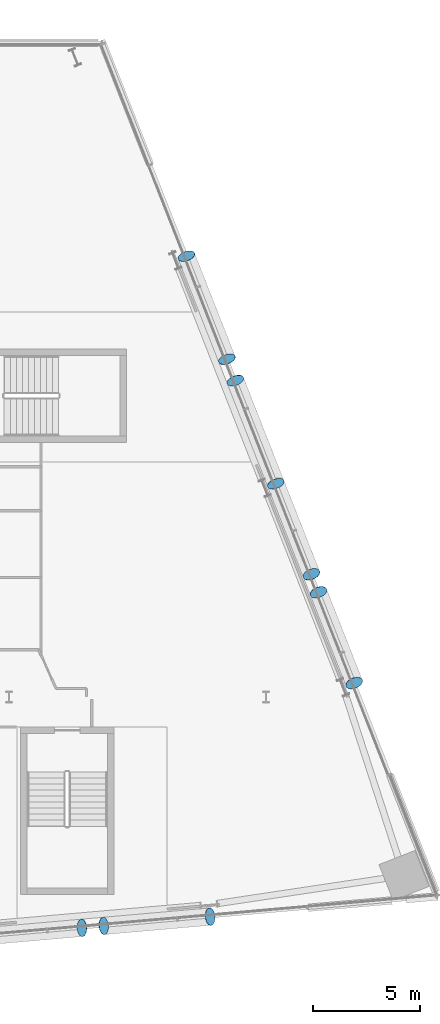
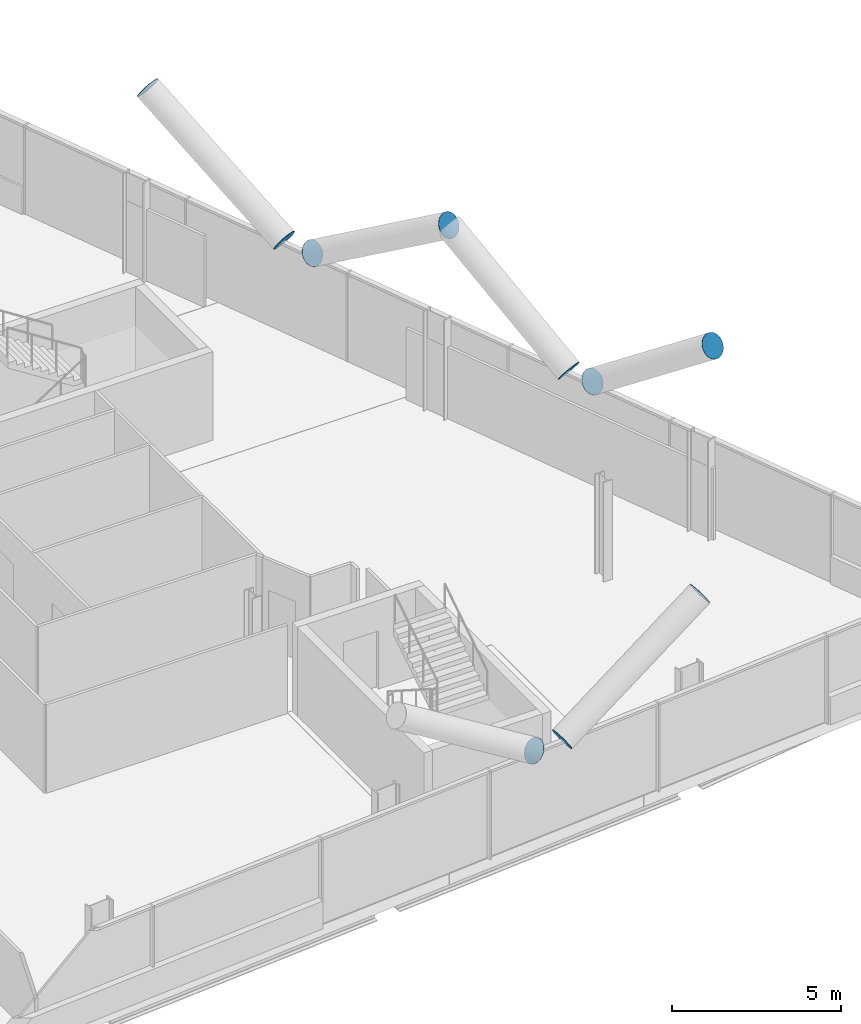
# One storey, part 22 of 26: 10 discrete accessories.
"""IFC4 building model written with IfcOpenShell, lengths in metres."""

from ifc_helpers import new_model, si_unit, direction, frame, origin, origin_2d, place, context, subcontext, project, spatial, circle, extrude, material, material_profile, profile_set, type_object, element, save


model = new_model("IFC4")

# Units and contexts
model_context = context("Model", 3, precision=1e-05, world=origin(), true_north=direction((0.0, 1.0)))
body_context = subcontext(model_context, "Body", "Model", "MODEL_VIEW")
ifc_project = project(units=[si_unit("LENGTHUNIT", "METRE"), si_unit("AREAUNIT", "SQUARE_METRE"), si_unit("VOLUMEUNIT", "CUBIC_METRE"), si_unit("PLANEANGLEUNIT", "RADIAN"), si_unit("MASSUNIT", "GRAM", prefix="KILO")], contexts=[model_context])

# Site, building, storey
site_placement = place(None, origin())
site = spatial("IfcSite", under=ifc_project, at=site_placement, CompositionType="ELEMENT")
building_placement = place(site_placement, origin())
building = spatial("IfcBuilding", under=site, at=building_placement, Name="Wharfspan Tower", CompositionType="ELEMENT")
storey_placement = place(building_placement, frame((0.0, 0.0, 125.5)))
storey = spatial("IfcBuildingStorey", under=building, at=storey_placement, Name="L29", CompositionType="ELEMENT", Elevation=125.5)

# Discrete accessories
ifc_material = material(Name="Steel S460NH", Category="steel")
ifc_material_profile = material_profile(ifc_material, circle(Radius=0.406494, at=origin_2d()))
ifc_profile_set = profile_set([ifc_material_profile], Name="Steel S460NH")
discrete_accessory_type = type_object("IfcDiscreteAccessoryType", Name="End plate CHS 813x40", PredefinedType="BRACKET", material=ifc_profile_set)
for number, where, z_axis, x_axis, name in (
    (1, (76.418457, 0.821777, 3.232422), (0.844416, 0.072379, 0.530776), (-0.085402, 0.99635, 0.0), "End plate CHS 813x40"),
    (2, (81.376221, 1.255371, 6.5), (0.837276, 0.073877, 0.541767), (-0.087893, 0.996132, -1e-06), "End plate CHS 813x40"),
    (3, (75.410156, 0.733398, 3.232422), (-0.838548, -0.049326, 0.54259), (0.058722, -0.99827, 1e-06), "End plate CHS 813x40"),
    (4, (82.171143, 27.249756, 3.236328), (-0.289598, 0.796395, 0.53093), (-0.939792, -0.341743, 1e-06), "End plate CHS 813x40"),
    (5, (80.282471, 32.05542, 6.5), (-0.289598, 0.796395, 0.53093), (-0.939792, -0.341743, 1e-06), "End plate CHS 813x40"),
    (6, (82.560303, 26.259521, 3.236328), (0.317451, -0.781418, 0.537225), (0.92647, 0.376377, -2e-06), "End plate CHS 813x40"),
):
    element("IfcDiscreteAccessory", number, at=place(storey_placement, frame(where, z_axis=z_axis, x_axis=x_axis)), inside=storey, type_object=discrete_accessory_type, Name=name, PredefinedType="BRACKET", context=body_context, shape_type="SweptSolid", body=[
        extrude(circle(Radius=0.406494, at=origin_2d()), origin(), (0.0, 0.0, 1.0), 0.01001),
    ])
discrete_accessory_placement = place(storey_placement, frame((84.448975, 21.454102, 6.5), z_axis=(0.311472, -0.79066, 0.527107), x_axis=(0.93041, 0.366525, 0.0)))
element("IfcDiscreteAccessory", 7, at=discrete_accessory_placement, inside=storey, type_object=discrete_accessory_type, Name="End plate CHS 813x40", PredefinedType="BRACKET", context=body_context, shape_type="SweptSolid", body=[
    extrude(circle(Radius=0.406494, at=origin_2d()), origin(), (0.0, 0.0, 1.0), 0.010254),
])
for number, where, z_axis, x_axis, name in (
    (8, (86.112793, 17.220459, 3.221924), (-0.292683, 0.756098, 0.585366), (-0.932565, -0.360992, -1e-06), "End plate CHS 813x40"),
    (9, (86.439697, 16.388916, 3.221924), (0.292683, -0.756098, 0.585366), (0.932565, 0.360992, -1e-06), "End plate CHS 813x40"),
    (10, (88.103516, 12.155518, 6.5), (0.292683, -0.756098, 0.585366), (0.932565, 0.360992, -1e-06), "End plate CHS 813x40"),
):
    element("IfcDiscreteAccessory", number, at=place(storey_placement, frame(where, z_axis=z_axis, x_axis=x_axis)), inside=storey, type_object=discrete_accessory_type, Name=name, PredefinedType="BRACKET", context=body_context, shape_type="SweptSolid", body=[
        extrude(circle(Radius=0.406494, at=origin_2d()), origin(), (0.0, 0.0, 1.0), 0.01001),
    ])

save(model, "model.ifc")
